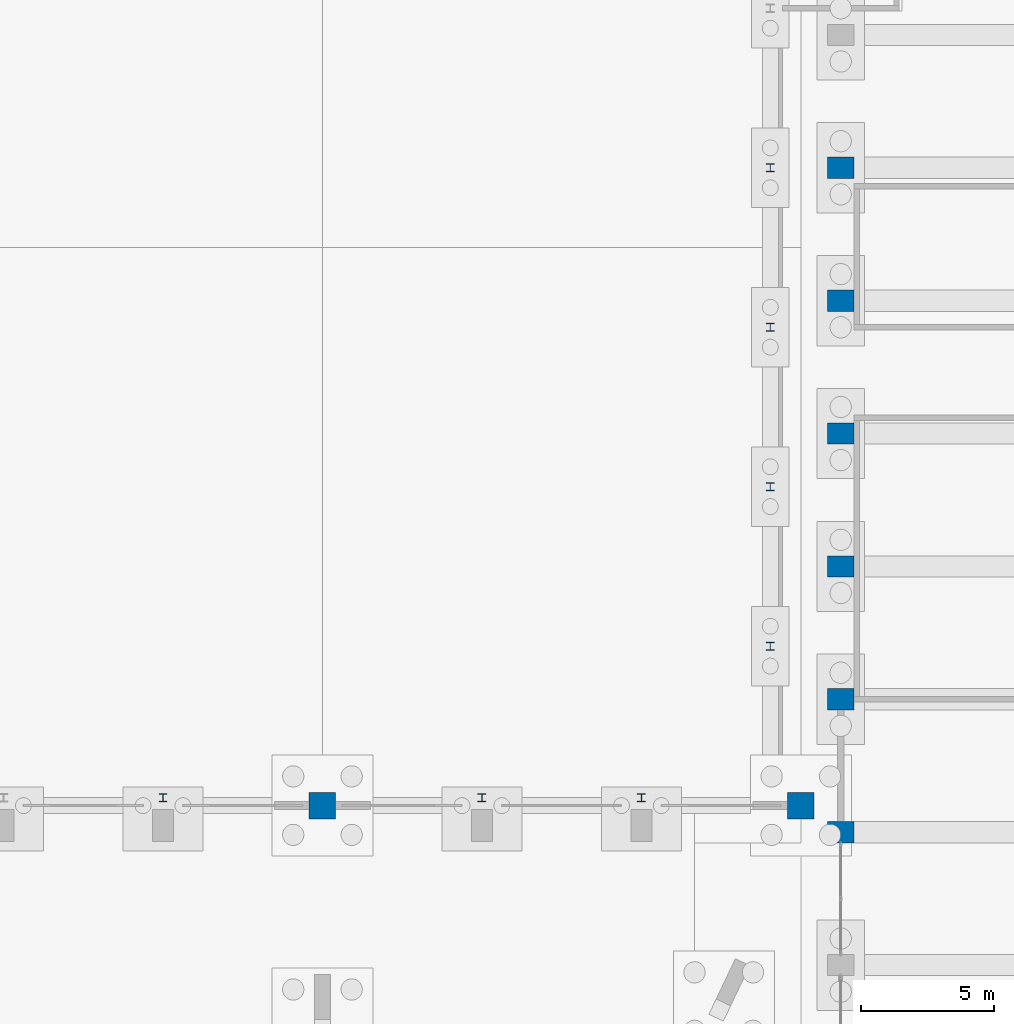
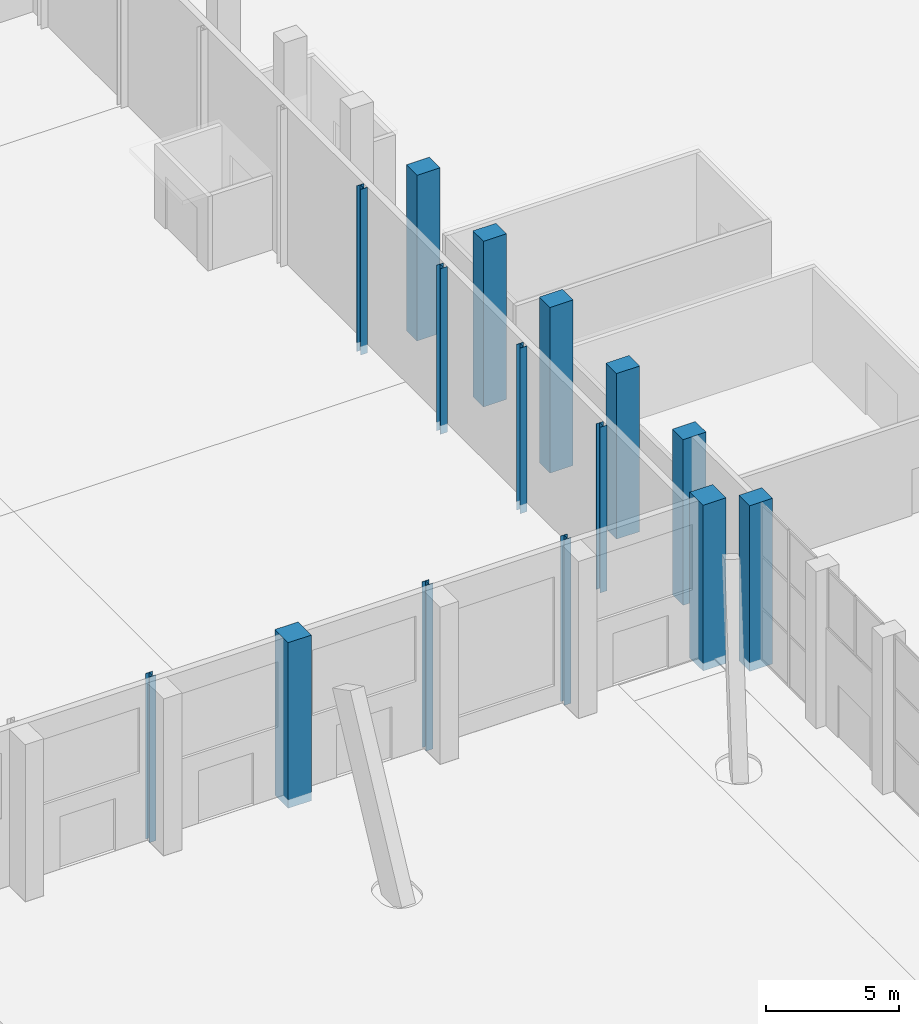
# One storey, part 35 of 239: 15 columns.
"""IFC4 building model written with IfcOpenShell, lengths in metres."""

from ifc_helpers import new_model, si_unit, direction, frame, origin, origin_2d, place, context, subcontext, project, spatial, rectangle, i_section, extrude, material, material_profile, profile_set, type_object, element, save


model = new_model("IFC4")

# Units and contexts
model_context = context("Model", 3, precision=1e-05, world=origin(), true_north=direction((0.0, 1.0)))
body_context = subcontext(model_context, "Body", "Model", "MODEL_VIEW")
ifc_project = project(units=[si_unit("LENGTHUNIT", "METRE"), si_unit("AREAUNIT", "SQUARE_METRE"), si_unit("VOLUMEUNIT", "CUBIC_METRE"), si_unit("PLANEANGLEUNIT", "RADIAN"), si_unit("MASSUNIT", "GRAM", prefix="KILO")], contexts=[model_context])

# Site, building, storey
site_placement = place(None, origin())
site = spatial("IfcSite", under=ifc_project, at=site_placement, CompositionType="ELEMENT")
building_placement = place(site_placement, origin())
building = spatial("IfcBuilding", under=site, at=building_placement, Name="Okhra Congress Centre", CompositionType="ELEMENT")
storey_placement = place(building_placement, origin())
storey = spatial("IfcBuildingStorey", under=building, at=storey_placement, Name="L00", CompositionType="ELEMENT", Elevation=0.0)

# Columns
ifc_material_1 = material(Name="Steel S355J2", Category="steel")
ifc_material_profile_1 = material_profile(ifc_material_1, i_section(OverallWidth=0.300048828125, OverallDepth=0.2900390625, WebThickness=0.008544921875, FlangeThickness=0.013916015625, at=origin_2d()), Name="HE 300 A")
ifc_profile_set_1 = profile_set([ifc_material_profile_1], Name="Steel S355J2")
column_type_1 = type_object("IfcColumnType", Name="HE 300 A", PredefinedType="COLUMN", material=ifc_profile_set_1)
for number, where, z_axis, x_axis, name in (
    (1, (130.0, 132.300048828125, -0.39990234375), (0.0, 0.0, 1.0), (1.0, 0.0, 0.0), "EH.COL.L00.WP12"),
    (2, (142.0, 132.300048828125, -0.39990234375), (0.0, 0.0, 1.0), (1.0, 0.0, 0.0), "EH.COL.L00.WP13"),
    (3, (148.0, 132.300048828125, -0.39990234375), (0.0, 0.0, 1.0), (1.0, 0.0, 0.0), "EH.COL.L00.WP14"),
    (4, (152.85009765625, 138.0, -0.39990234375), (0.0, 0.0, 1.0), (1.0, 0.0, 0.0), "EH.COL.L00.WP16"),
    (5, (152.85009765625, 144.0, -0.39990234375), (0.0, 0.0, 1.0), (1.0, 0.0, 0.0), "EH.COL.L00.WP18"),
    (6, (152.85009765625, 150.0, -0.39990234375), (0.0, 0.0, 1.0), (1.0, 0.0, 0.0), "EH.COL.L00.WP20"),
    (7, (152.85009765625, 156.0, -0.39990234375), (0.0, 0.0, 1.0), (1.0, 0.0, 0.0), "EH.COL.L00.WP22"),
):
    element("IfcColumn", number, at=place(storey_placement, frame(where, z_axis=z_axis, x_axis=x_axis)), inside=storey, type_object=column_type_1, Name=name, PredefinedType="COLUMN", context=body_context, shape_type="SweptSolid", body=[
        extrude(i_section(OverallWidth=0.300048828125, OverallDepth=0.2900390625, WebThickness=0.008544921875, FlangeThickness=0.013916015625, at=origin_2d()), origin(), (0.0, 0.0, 1.0), 7.599853515625),
    ])
ifc_material_2 = material(Name="Concrete C40/50", Category="concrete")
ifc_material_profile_2 = material_profile(ifc_material_2, rectangle(XDim=1.0, YDim=1.0, at=origin_2d()), Name="RC 1000x1000")
ifc_profile_set_2 = profile_set([ifc_material_profile_2], Name="Concrete C40/50")
column_type_2 = type_object("IfcColumnType", Name="RC column 1000x1000 C40/50", PredefinedType="COLUMN", material=ifc_profile_set_2)
for number, where, z_axis, x_axis, name in (
    (8, (136.0, 132.0, -0.39990234375), (0.0, 0.0, 1.0), (1.0, 0.0, 0.0), "EH.COL.L00.SC13"),
    (9, (154.0, 132.0, -0.39990234375), (0.0, 0.0, 1.0), (1.0, 0.0, 0.0), "EH.COL.L00.SC15"),
):
    element("IfcColumn", number, at=place(storey_placement, frame(where, z_axis=z_axis, x_axis=x_axis)), inside=storey, type_object=column_type_2, Name=name, PredefinedType="COLUMN", context=body_context, shape_type="SweptSolid", body=[
        extrude(rectangle(XDim=1.0, YDim=1.0, at=origin_2d()), origin(), (0.0, 0.0, 1.0), 7.599853515625),
    ])
ifc_material_profile_3 = material_profile(ifc_material_2, rectangle(XDim=1.0, YDim=0.800048828125, at=origin_2d()), Name="RC 1000x800")
ifc_profile_set_3 = profile_set([ifc_material_profile_3], Name="Concrete C40/50")
column_type_3 = type_object("IfcColumnType", Name="RC pier 1000x800 C40/50", PredefinedType="COLUMN", material=ifc_profile_set_3)
for number, where, z_axis, x_axis, name in (
    (10, (155.5, 131.0, -0.39990234375), (0.0, 0.0, 1.0), (1.0, 0.0, 0.0), "WG.COL.L00.pier-W11"),
    (11, (155.5, 136.0, -0.39990234375), (0.0, 0.0, 1.0), (1.0, 0.0, 0.0), "WG.COL.L00.pier-W12"),
    (12, (155.5, 141.0, -0.39990234375), (0.0, 0.0, 1.0), (1.0, 0.0, 0.0), "WG.COL.L00.pier-W13"),
    (13, (155.5, 146.0, -0.39990234375), (0.0, 0.0, 1.0), (1.0, 0.0, 0.0), "WG.COL.L00.pier-W14"),
    (14, (155.5, 151.0, -0.39990234375), (0.0, 0.0, 1.0), (1.0, 0.0, 0.0), "WG.COL.L00.pier-W15"),
    (15, (155.5, 156.0, -0.39990234375), (0.0, 0.0, 1.0), (1.0, 0.0, 0.0), "WG.COL.L00.pier-W16"),
):
    element("IfcColumn", number, at=place(storey_placement, frame(where, z_axis=z_axis, x_axis=x_axis)), inside=storey, type_object=column_type_3, Name=name, PredefinedType="COLUMN", context=body_context, shape_type="SweptSolid", body=[
        extrude(rectangle(XDim=1.0, YDim=0.800048828125, at=origin_2d()), origin(), (0.0, 0.0, 1.0), 7.599853515625),
    ])

save(model, "model.ifc")
